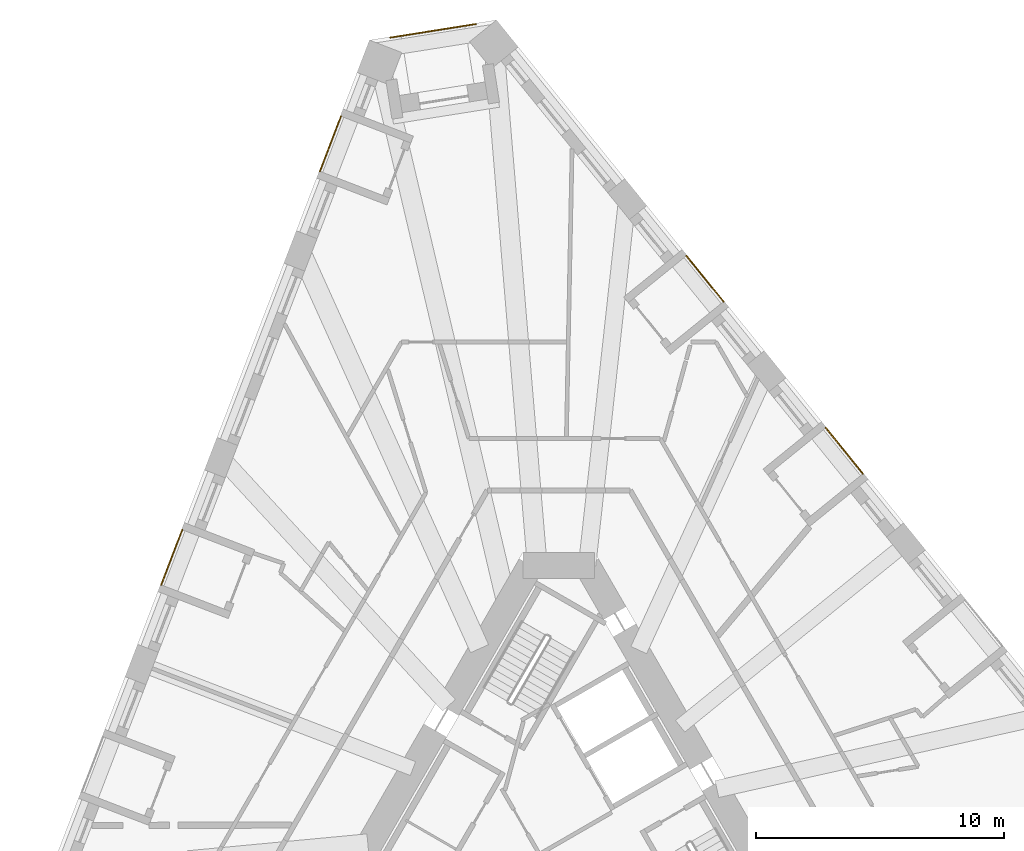
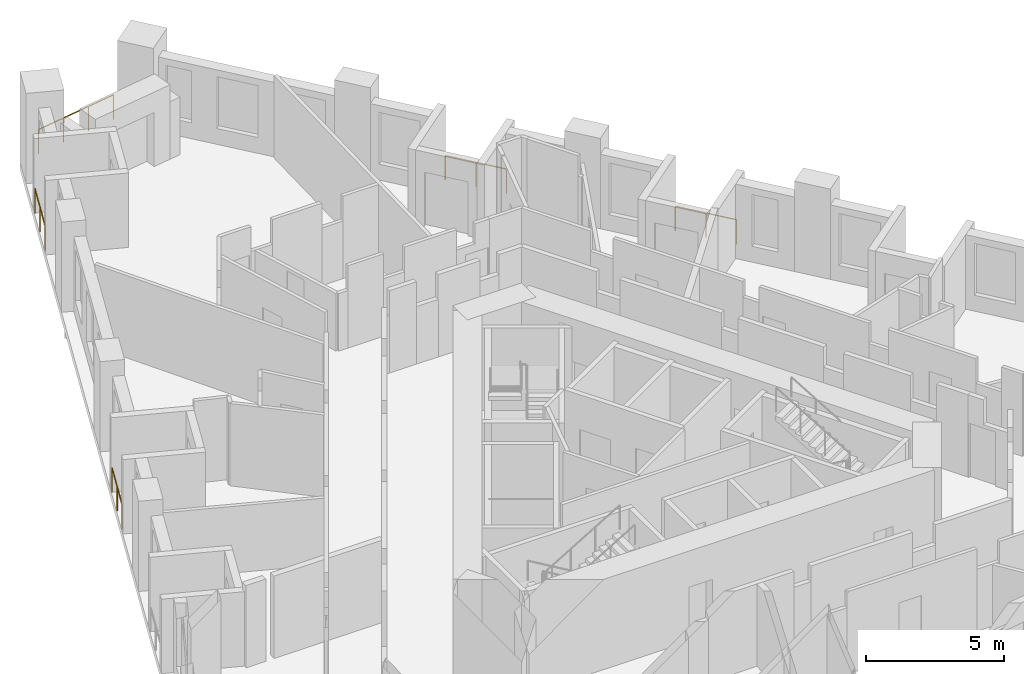
# One storey, part 14 of 14: 5 railings.
"""IFC4 building model written with IfcOpenShell, lengths in metres."""

from ifc_helpers import new_model, si_unit, direction, frame, origin, origin_2d, place, context, subcontext, project, spatial, circle, extrude, material, type_object, element, save


model = new_model("IFC4")

# Units and contexts
model_context = context("Model", 3, precision=1e-05, world=origin(), true_north=direction((0.0, 1.0)))
body_context = subcontext(model_context, "Body", "Model", "MODEL_VIEW")
ifc_project = project(units=[si_unit("LENGTHUNIT", "METRE"), si_unit("AREAUNIT", "SQUARE_METRE"), si_unit("VOLUMEUNIT", "CUBIC_METRE"), si_unit("PLANEANGLEUNIT", "RADIAN"), si_unit("MASSUNIT", "GRAM", prefix="KILO")], contexts=[model_context])

# Site, building, storey
site_placement = place(None, origin())
site = spatial("IfcSite", under=ifc_project, at=site_placement, CompositionType="ELEMENT")
building_placement = place(site_placement, origin())
building = spatial("IfcBuilding", under=site, at=building_placement, Name="Tramontana Tower", CompositionType="ELEMENT")
storey_placement = place(building_placement, frame((0.0, 0.0, 67.199951171875)))
storey = spatial("IfcBuildingStorey", under=building, at=storey_placement, Name="L14", CompositionType="ELEMENT", Elevation=67.199951171875)

# Railings
ifc_material = material(Name="Laminated glass balustrade", Category="glass")
railing_type = type_object("IfcRailingType", Name="GD1 Loggia glass balustrade 1100", PredefinedType="BALUSTRADE", material=ifc_material)
railing_1_placement = place(storey_placement, frame((-8.798828125, 28.61767578125, 0.0)))
element("IfcRailing", 1, at=railing_1_placement, inside=storey, type_object=railing_type, Name="Loggia balustrade L14 G1S0.1", PredefinedType="BALUSTRADE", context=body_context, shape_type="SweptSolid", body=[
    extrude(circle(Radius=0.02392578125, at=origin_2d()), frame((0.0, 0.0, 1.076171875), z_axis=(-0.35829926872, -0.933606787697, 0.0), x_axis=(0.933606787697, -0.35829926872, 0.0)), (0.0, 0.0, 1.0), 2.3828125),
    extrude(circle(Radius=0.02099609375, at=origin_2d()), origin(), (0.0, 0.0, 1.0), 1.052001953125),
    extrude(circle(Radius=0.02099609375, at=origin_2d()), frame((-0.4267578125, -1.1123046875, 0.0)), (0.0, 0.0, 1.0), 1.052001953125),
    extrude(circle(Radius=0.02099609375, at=origin_2d()), frame((-0.853759765625, -2.224609375, 0.0)), (0.0, 0.0, 1.0), 1.052001953125),
])
railing_2_placement = place(storey_placement, frame((-15.212646484375, 11.90869140625, 0.0)))
element("IfcRailing", 2, at=railing_2_placement, inside=storey, type_object=railing_type, Name="Loggia balustrade L14 G1S0.7", PredefinedType="BALUSTRADE", context=body_context, shape_type="SweptSolid", body=[
    extrude(circle(Radius=0.02392578125, at=origin_2d()), frame((0.0, 0.0, 1.076171875), z_axis=(-0.35838856932, -0.933572511046, 0.0), x_axis=(0.933572511046, -0.35838856932, 0.0)), (0.0, 0.0, 1.0), 2.3828125),
    extrude(circle(Radius=0.02099609375, at=origin_2d()), origin(), (0.0, 0.0, 1.0), 1.052001953125),
    extrude(circle(Radius=0.02099609375, at=origin_2d()), frame((-0.427001953125, -1.1123046875, 0.0)), (0.0, 0.0, 1.0), 1.052001953125),
    extrude(circle(Radius=0.02099609375, at=origin_2d()), frame((-0.85400390625, -2.224609375, 0.0)), (0.0, 0.0, 1.0), 1.052001953125),
])
railing_3_placement = place(storey_placement, frame((12.287841796875, 14.1748046875, 0.0)))
element("IfcRailing", 3, at=railing_3_placement, inside=storey, type_object=railing_type, Name="Loggia balustrade L14 G1S2.10", PredefinedType="BALUSTRADE", context=body_context, shape_type="SweptSolid", body=[
    extrude(circle(Radius=0.02392578125, at=origin_2d()), frame((0.0, 0.0, 1.076171875), z_axis=(-0.629319049918, 0.777147047482, 0.0), x_axis=(-0.777147047482, -0.629319049918, 0.0)), (0.0, 0.0, 1.0), 2.383056640625),
    extrude(circle(Radius=0.02099609375, at=origin_2d()), origin(), (0.0, 0.0, 1.0), 1.052001953125),
    extrude(circle(Radius=0.02099609375, at=origin_2d()), frame((-0.75, 0.926025390625, 0.0)), (0.0, 0.0, 1.0), 1.052001953125),
    extrude(circle(Radius=0.02099609375, at=origin_2d()), frame((-1.499755859375, 1.85205078125, 0.0)), (0.0, 0.0, 1.0), 1.052001953125),
])
railing_4_placement = place(storey_placement, frame((6.656005859375, 21.129638671875, 0.0)))
element("IfcRailing", 4, at=railing_4_placement, inside=storey, type_object=railing_type, Name="Loggia balustrade L14 G1S2.13", PredefinedType="BALUSTRADE", context=body_context, shape_type="SweptSolid", body=[
    extrude(circle(Radius=0.02392578125, at=origin_2d()), frame((0.0, 0.0, 1.076171875), z_axis=(-0.62930727886, 0.777156579316, 0.0), x_axis=(-0.777156579316, -0.62930727886, 0.0)), (0.0, 0.0, 1.0), 2.3828125),
    extrude(circle(Radius=0.02099609375, at=origin_2d()), origin(), (0.0, 0.0, 1.0), 1.052001953125),
    extrude(circle(Radius=0.02099609375, at=origin_2d()), frame((-0.749755859375, 0.92578125, 0.0)), (0.0, 0.0, 1.0), 1.052001953125),
    extrude(circle(Radius=0.02099609375, at=origin_2d()), frame((-1.49951171875, 1.851806640625, 0.0)), (0.0, 0.0, 1.0), 1.052001953125),
])
railing_5_placement = place(storey_placement, frame((-6.807861328125, 31.79638671875, 0.0)))
element("IfcRailing", 5, at=railing_5_placement, inside=storey, type_object=railing_type, Name="Corner loggia balustrade L14 K10", PredefinedType="BALUSTRADE", context=body_context, shape_type="SweptSolid", body=[
    extrude(circle(Radius=0.02392578125, at=origin_2d()), frame((0.0, 0.0, 1.076171875), z_axis=(0.987683654859, 0.156464046744, 0.0), x_axis=(-0.156464046744, 0.987683654859, 0.0)), (0.0, 0.0, 1.0), 3.5),
    extrude(circle(Radius=0.02099609375, at=origin_2d()), origin(), (0.0, 0.0, 1.0), 1.052001953125),
    extrude(circle(Radius=0.02099609375, at=origin_2d()), frame((1.15234375, 0.1826171875, 0.0)), (0.0, 0.0, 1.0), 1.052001953125),
    extrude(circle(Radius=0.02099609375, at=origin_2d()), frame((2.304443359375, 0.364990234375, 0.0)), (0.0, 0.0, 1.0), 1.052001953125),
    extrude(circle(Radius=0.02099609375, at=origin_2d()), frame((3.456787109375, 0.547607421875, 0.0)), (0.0, 0.0, 1.0), 1.052001953125),
])

save(model, "model.ifc")
